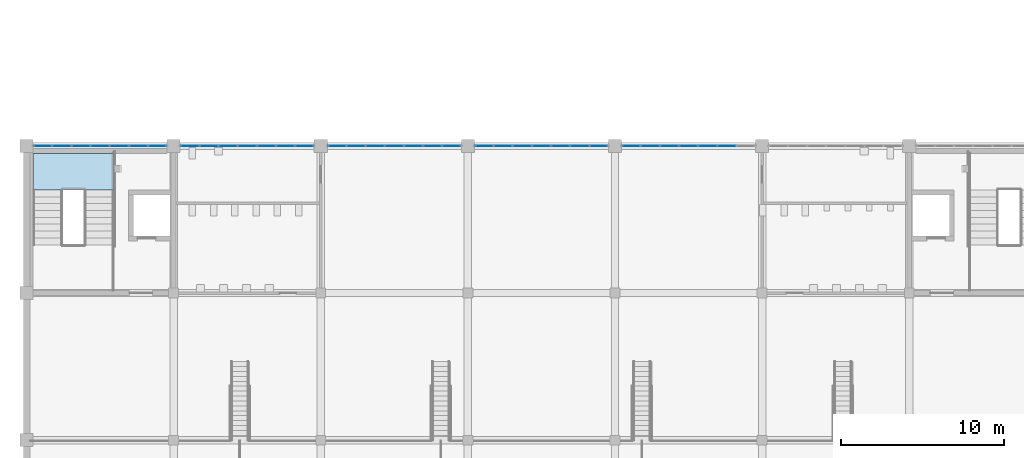
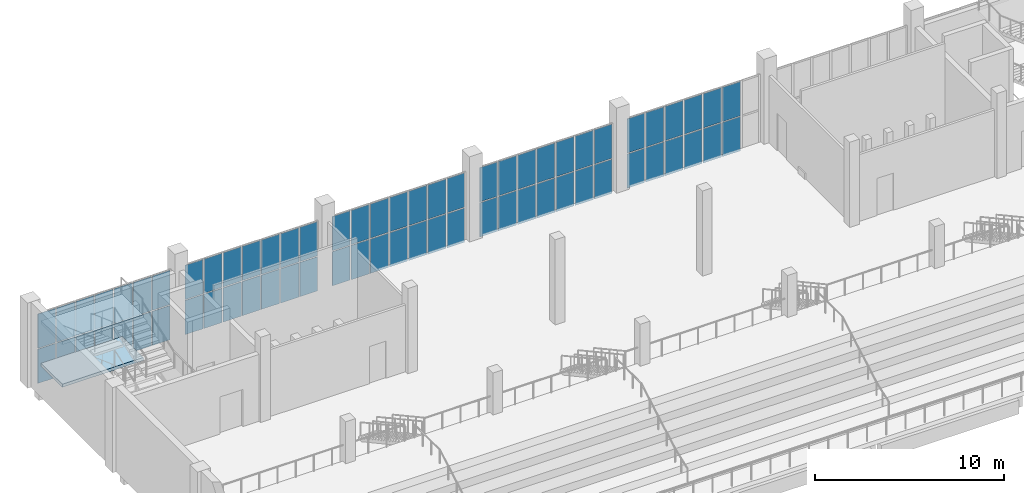
# One storey, part 89 of 185: 68 plates, 2 slabs, 6 elements without a shape of their own.
"""IFC4 building model written with IfcOpenShell, lengths in metres."""

from ifc_helpers import new_model, si_unit, direction, frame, origin, origin_2d, place, context, subcontext, project, spatial, polyline, rectangle, outline, extrude, material, layer, layer_set, type_object, element, aggregate, save


model = new_model("IFC4")

# Units and contexts
model_context = context("Model", 3, precision=1e-05, world=origin(), true_north=direction((0.0, 1.0)))
body_context = subcontext(model_context, "Body", "Model", "MODEL_VIEW")
ifc_project = project(units=[si_unit("LENGTHUNIT", "METRE"), si_unit("AREAUNIT", "SQUARE_METRE"), si_unit("VOLUMEUNIT", "CUBIC_METRE"), si_unit("PLANEANGLEUNIT", "RADIAN"), si_unit("MASSUNIT", "GRAM", prefix="KILO")], contexts=[model_context])

# Site, building, storey
site_placement = place(None, origin())
site = spatial("IfcSite", under=ifc_project, at=site_placement, CompositionType="ELEMENT")
building_placement = place(site_placement, origin())
building = spatial("IfcBuilding", under=site, at=building_placement, Name="Opaline Strait Convention Centre", CompositionType="ELEMENT")
storey_placement = place(building_placement, frame((0.0, 0.0, 6.0)))
storey = spatial("IfcBuildingStorey", under=building, at=storey_placement, Name="L01", CompositionType="ELEMENT", Elevation=6.0)

# Curtain wall, plates
ifc_material_1 = material(Name="Aluminium framed double glazing", Category="aluminium")
ifc_layer_1 = layer(ifc_material_1, 0.199951171875)
ifc_layer_set_1 = layer_set([ifc_layer_1], Name="Aluminium framed double glazing")
curtain_wall_type = type_object("IfcCurtainWallType", Name="Curtain wall 1250", PredefinedType="NOTDEFINED", material=ifc_layer_set_1)
curtain_wall_1_placement = place(storey_placement, origin())
curtain_wall_1 = element("IfcCurtainWall", 1, at=curtain_wall_1_placement, inside=storey, type_object=curtain_wall_type, Name="Curtain wall N-9-L01", PredefinedType="NOTDEFINED")
ifc_material_2 = material(Name="Double glazed unit low emissivity", Category="glass")
ifc_layer_2 = layer(ifc_material_2, 0.028076171875)
ifc_layer_set_2 = layer_set([ifc_layer_2], Name="Double glazed unit low emissivity")
plate_type = type_object("IfcPlateType", Name="Curtain wall glass panel 28", PredefinedType="CURTAIN_PANEL", material=ifc_layer_set_2)
plate_1_placement = place(storey_placement, frame((10.000732421875, 180.0, -0.219970703125), z_axis=(0.0, 0.0, 1.0), x_axis=(1.0, 0.0, 0.0)))
plate_1 = element("IfcPlate", 2, at=plate_1_placement, type_object=plate_type, Name="PCW panel 1.1", PredefinedType="CURTAIN_PANEL", context=body_context, shape_type="SweptSolid", body=[
    extrude(rectangle(XDim=1.08154296875, YDim=0.028076171875, at=origin_2d()), origin(), (0.0, 0.0, 1.0), 2.2099609375),
])
plate_2_placement = place(storey_placement, frame((10.000732421875, 180.0, 2.050048828125), z_axis=(0.0, 0.0, 1.0), x_axis=(1.0, 0.0, 0.0)))
plate_2 = element("IfcPlate", 3, at=plate_2_placement, type_object=plate_type, Name="PCW panel 1.2", PredefinedType="CURTAIN_PANEL", context=body_context, shape_type="SweptSolid", body=[
    extrude(rectangle(XDim=1.08154296875, YDim=0.028076171875, at=origin_2d()), origin(), (0.0, 0.0, 1.0), 2.2099609375),
])
plate_3_placement = place(storey_placement, frame((11.156982421875, 180.0, -0.219970703125), z_axis=(0.0, 0.0, 1.0), x_axis=(1.0, 0.0, 0.0)))
plate_3 = element("IfcPlate", 4, at=plate_3_placement, type_object=plate_type, Name="PCW panel 2.1", PredefinedType="CURTAIN_PANEL", context=body_context, shape_type="SweptSolid", body=[
    extrude(rectangle(XDim=1.111572265625, YDim=0.028076171875, at=origin_2d()), origin(), (0.0, 0.0, 1.0), 2.2099609375),
])
plate_4_placement = place(storey_placement, frame((11.156982421875, 180.0, 2.050048828125), z_axis=(0.0, 0.0, 1.0), x_axis=(1.0, 0.0, 0.0)))
plate_4 = element("IfcPlate", 5, at=plate_4_placement, type_object=plate_type, Name="PCW panel 2.2", PredefinedType="CURTAIN_PANEL", context=body_context, shape_type="SweptSolid", body=[
    extrude(rectangle(XDim=1.111572265625, YDim=0.028076171875, at=origin_2d()), origin(), (0.0, 0.0, 1.0), 2.2099609375),
])
plate_5_placement = place(storey_placement, frame((12.32861328125, 180.0, -0.219970703125), z_axis=(0.0, 0.0, 1.0), x_axis=(1.0, 0.0, 0.0)))
plate_5 = element("IfcPlate", 6, at=plate_5_placement, type_object=plate_type, Name="PCW panel 3.1", PredefinedType="CURTAIN_PANEL", context=body_context, shape_type="SweptSolid", body=[
    extrude(rectangle(XDim=1.111572265625, YDim=0.028076171875, at=origin_2d()), origin(), (0.0, 0.0, 1.0), 2.2099609375),
])
plate_6_placement = place(storey_placement, frame((12.32861328125, 180.0, 2.050048828125), z_axis=(0.0, 0.0, 1.0), x_axis=(1.0, 0.0, 0.0)))
plate_6 = element("IfcPlate", 7, at=plate_6_placement, type_object=plate_type, Name="PCW panel 3.2", PredefinedType="CURTAIN_PANEL", context=body_context, shape_type="SweptSolid", body=[
    extrude(rectangle(XDim=1.111572265625, YDim=0.028076171875, at=origin_2d()), origin(), (0.0, 0.0, 1.0), 2.2099609375),
])
plate_7_placement = place(storey_placement, frame((13.5, 180.0, -0.219970703125), z_axis=(0.0, 0.0, 1.0), x_axis=(1.0, 0.0, 0.0)))
plate_7 = element("IfcPlate", 8, at=plate_7_placement, type_object=plate_type, Name="PCW panel 4.1", PredefinedType="CURTAIN_PANEL", context=body_context, shape_type="SweptSolid", body=[
    extrude(rectangle(XDim=1.111572265625, YDim=0.028076171875, at=origin_2d()), origin(), (0.0, 0.0, 1.0), 2.2099609375),
])
plate_8_placement = place(storey_placement, frame((13.5, 180.0, 2.050048828125), z_axis=(0.0, 0.0, 1.0), x_axis=(1.0, 0.0, 0.0)))
plate_8 = element("IfcPlate", 9, at=plate_8_placement, type_object=plate_type, Name="PCW panel 4.2", PredefinedType="CURTAIN_PANEL", context=body_context, shape_type="SweptSolid", body=[
    extrude(rectangle(XDim=1.111572265625, YDim=0.028076171875, at=origin_2d()), origin(), (0.0, 0.0, 1.0), 2.2099609375),
])
plate_9_placement = place(storey_placement, frame((14.67138671875, 180.0, -0.219970703125), z_axis=(0.0, 0.0, 1.0), x_axis=(1.0, 0.0, 0.0)))
plate_9 = element("IfcPlate", 10, at=plate_9_placement, type_object=plate_type, Name="PCW panel 5.1", PredefinedType="CURTAIN_PANEL", context=body_context, shape_type="SweptSolid", body=[
    extrude(rectangle(XDim=1.111572265625, YDim=0.028076171875, at=origin_2d()), origin(), (0.0, 0.0, 1.0), 2.2099609375),
])
plate_10_placement = place(storey_placement, frame((14.67138671875, 180.0, 2.050048828125), z_axis=(0.0, 0.0, 1.0), x_axis=(1.0, 0.0, 0.0)))
plate_10 = element("IfcPlate", 11, at=plate_10_placement, type_object=plate_type, Name="PCW panel 5.2", PredefinedType="CURTAIN_PANEL", context=body_context, shape_type="SweptSolid", body=[
    extrude(rectangle(XDim=1.111572265625, YDim=0.028076171875, at=origin_2d()), origin(), (0.0, 0.0, 1.0), 2.2099609375),
])
plate_11_placement = place(storey_placement, frame((15.843017578125, 180.0, -0.219970703125), z_axis=(0.0, 0.0, 1.0), x_axis=(1.0, 0.0, 0.0)))
plate_11 = element("IfcPlate", 12, at=plate_11_placement, type_object=plate_type, Name="PCW panel 6.1", PredefinedType="CURTAIN_PANEL", context=body_context, shape_type="SweptSolid", body=[
    extrude(rectangle(XDim=1.111572265625, YDim=0.028076171875, at=origin_2d()), origin(), (0.0, 0.0, 1.0), 2.2099609375),
])
plate_12_placement = place(storey_placement, frame((15.843017578125, 180.0, 2.050048828125), z_axis=(0.0, 0.0, 1.0), x_axis=(1.0, 0.0, 0.0)))
plate_12 = element("IfcPlate", 13, at=plate_12_placement, type_object=plate_type, Name="PCW panel 6.2", PredefinedType="CURTAIN_PANEL", context=body_context, shape_type="SweptSolid", body=[
    extrude(rectangle(XDim=1.111572265625, YDim=0.028076171875, at=origin_2d()), origin(), (0.0, 0.0, 1.0), 2.2099609375),
])
plate_13_placement = place(storey_placement, frame((16.999267578125, 180.0, -0.219970703125), z_axis=(0.0, 0.0, 1.0), x_axis=(1.0, 0.0, 0.0)))
plate_13 = element("IfcPlate", 14, at=plate_13_placement, type_object=plate_type, Name="PCW panel 7.1", PredefinedType="CURTAIN_PANEL", context=body_context, shape_type="SweptSolid", body=[
    extrude(rectangle(XDim=1.08154296875, YDim=0.028076171875, at=origin_2d()), origin(), (0.0, 0.0, 1.0), 2.2099609375),
])
plate_14_placement = place(storey_placement, frame((16.999267578125, 180.0, 2.050048828125), z_axis=(0.0, 0.0, 1.0), x_axis=(1.0, 0.0, 0.0)))
plate_14 = element("IfcPlate", 15, at=plate_14_placement, type_object=plate_type, Name="PCW panel 7.2", PredefinedType="CURTAIN_PANEL", context=body_context, shape_type="SweptSolid", body=[
    extrude(rectangle(XDim=1.08154296875, YDim=0.028076171875, at=origin_2d()), origin(), (0.0, 0.0, 1.0), 2.2099609375),
])
aggregate(curtain_wall_1, [plate_1, plate_2, plate_3, plate_4, plate_5, plate_6, plate_7, plate_8, plate_9, plate_10, plate_11, plate_12, plate_13, plate_14])

curtain_wall_2_placement = place(storey_placement, origin())
curtain_wall_2 = element("IfcCurtainWall", 16, at=curtain_wall_2_placement, inside=storey, type_object=curtain_wall_type, Name="Curtain wall N-18-L01", PredefinedType="NOTDEFINED")
plate_15_placement = place(storey_placement, frame((19.000732421875, 180.0, -0.219970703125), z_axis=(0.0, 0.0, 1.0), x_axis=(1.0, 0.0, 0.0)))
plate_15 = element("IfcPlate", 17, at=plate_15_placement, type_object=plate_type, Name="PCW panel 1.1", PredefinedType="CURTAIN_PANEL", context=body_context, shape_type="SweptSolid", body=[
    extrude(rectangle(XDim=1.08154296875, YDim=0.028076171875, at=origin_2d()), origin(), (0.0, 0.0, 1.0), 2.2099609375),
])
plate_16_placement = place(storey_placement, frame((19.000732421875, 180.0, 2.050048828125), z_axis=(0.0, 0.0, 1.0), x_axis=(1.0, 0.0, 0.0)))
plate_16 = element("IfcPlate", 18, at=plate_16_placement, type_object=plate_type, Name="PCW panel 1.2", PredefinedType="CURTAIN_PANEL", context=body_context, shape_type="SweptSolid", body=[
    extrude(rectangle(XDim=1.08154296875, YDim=0.028076171875, at=origin_2d()), origin(), (0.0, 0.0, 1.0), 2.2099609375),
])
plate_17_placement = place(storey_placement, frame((20.156982421875, 180.0, -0.219970703125), z_axis=(0.0, 0.0, 1.0), x_axis=(1.0, 0.0, 0.0)))
plate_17 = element("IfcPlate", 19, at=plate_17_placement, type_object=plate_type, Name="PCW panel 2.1", PredefinedType="CURTAIN_PANEL", context=body_context, shape_type="SweptSolid", body=[
    extrude(rectangle(XDim=1.111572265625, YDim=0.028076171875, at=origin_2d()), origin(), (0.0, 0.0, 1.0), 2.2099609375),
])
plate_18_placement = place(storey_placement, frame((20.156982421875, 180.0, 2.050048828125), z_axis=(0.0, 0.0, 1.0), x_axis=(1.0, 0.0, 0.0)))
plate_18 = element("IfcPlate", 20, at=plate_18_placement, type_object=plate_type, Name="PCW panel 2.2", PredefinedType="CURTAIN_PANEL", context=body_context, shape_type="SweptSolid", body=[
    extrude(rectangle(XDim=1.111572265625, YDim=0.028076171875, at=origin_2d()), origin(), (0.0, 0.0, 1.0), 2.2099609375),
])
plate_19_placement = place(storey_placement, frame((21.32861328125, 180.0, -0.219970703125), z_axis=(0.0, 0.0, 1.0), x_axis=(1.0, 0.0, 0.0)))
plate_19 = element("IfcPlate", 21, at=plate_19_placement, type_object=plate_type, Name="PCW panel 3.1", PredefinedType="CURTAIN_PANEL", context=body_context, shape_type="SweptSolid", body=[
    extrude(rectangle(XDim=1.111572265625, YDim=0.028076171875, at=origin_2d()), origin(), (0.0, 0.0, 1.0), 2.2099609375),
])
plate_20_placement = place(storey_placement, frame((21.32861328125, 180.0, 2.050048828125), z_axis=(0.0, 0.0, 1.0), x_axis=(1.0, 0.0, 0.0)))
plate_20 = element("IfcPlate", 22, at=plate_20_placement, type_object=plate_type, Name="PCW panel 3.2", PredefinedType="CURTAIN_PANEL", context=body_context, shape_type="SweptSolid", body=[
    extrude(rectangle(XDim=1.111572265625, YDim=0.028076171875, at=origin_2d()), origin(), (0.0, 0.0, 1.0), 2.2099609375),
])
plate_21_placement = place(storey_placement, frame((22.5, 180.0, -0.219970703125), z_axis=(0.0, 0.0, 1.0), x_axis=(1.0, 0.0, 0.0)))
plate_21 = element("IfcPlate", 23, at=plate_21_placement, type_object=plate_type, Name="PCW panel 4.1", PredefinedType="CURTAIN_PANEL", context=body_context, shape_type="SweptSolid", body=[
    extrude(rectangle(XDim=1.111572265625, YDim=0.028076171875, at=origin_2d()), origin(), (0.0, 0.0, 1.0), 2.2099609375),
])
plate_22_placement = place(storey_placement, frame((22.5, 180.0, 2.050048828125), z_axis=(0.0, 0.0, 1.0), x_axis=(1.0, 0.0, 0.0)))
plate_22 = element("IfcPlate", 24, at=plate_22_placement, type_object=plate_type, Name="PCW panel 4.2", PredefinedType="CURTAIN_PANEL", context=body_context, shape_type="SweptSolid", body=[
    extrude(rectangle(XDim=1.111572265625, YDim=0.028076171875, at=origin_2d()), origin(), (0.0, 0.0, 1.0), 2.2099609375),
])
plate_23_placement = place(storey_placement, frame((23.67138671875, 180.0, -0.219970703125), z_axis=(0.0, 0.0, 1.0), x_axis=(1.0, 0.0, 0.0)))
plate_23 = element("IfcPlate", 25, at=plate_23_placement, type_object=plate_type, Name="PCW panel 5.1", PredefinedType="CURTAIN_PANEL", context=body_context, shape_type="SweptSolid", body=[
    extrude(rectangle(XDim=1.111572265625, YDim=0.028076171875, at=origin_2d()), origin(), (0.0, 0.0, 1.0), 2.2099609375),
])
plate_24_placement = place(storey_placement, frame((23.67138671875, 180.0, 2.050048828125), z_axis=(0.0, 0.0, 1.0), x_axis=(1.0, 0.0, 0.0)))
plate_24 = element("IfcPlate", 26, at=plate_24_placement, type_object=plate_type, Name="PCW panel 5.2", PredefinedType="CURTAIN_PANEL", context=body_context, shape_type="SweptSolid", body=[
    extrude(rectangle(XDim=1.111572265625, YDim=0.028076171875, at=origin_2d()), origin(), (0.0, 0.0, 1.0), 2.2099609375),
])
plate_25_placement = place(storey_placement, frame((24.843017578125, 180.0, -0.219970703125), z_axis=(0.0, 0.0, 1.0), x_axis=(1.0, 0.0, 0.0)))
plate_25 = element("IfcPlate", 27, at=plate_25_placement, type_object=plate_type, Name="PCW panel 6.1", PredefinedType="CURTAIN_PANEL", context=body_context, shape_type="SweptSolid", body=[
    extrude(rectangle(XDim=1.111572265625, YDim=0.028076171875, at=origin_2d()), origin(), (0.0, 0.0, 1.0), 2.2099609375),
])
plate_26_placement = place(storey_placement, frame((24.843017578125, 180.0, 2.050048828125), z_axis=(0.0, 0.0, 1.0), x_axis=(1.0, 0.0, 0.0)))
plate_26 = element("IfcPlate", 28, at=plate_26_placement, type_object=plate_type, Name="PCW panel 6.2", PredefinedType="CURTAIN_PANEL", context=body_context, shape_type="SweptSolid", body=[
    extrude(rectangle(XDim=1.111572265625, YDim=0.028076171875, at=origin_2d()), origin(), (0.0, 0.0, 1.0), 2.2099609375),
])
plate_27_placement = place(storey_placement, frame((25.999267578125, 180.0, -0.219970703125), z_axis=(0.0, 0.0, 1.0), x_axis=(1.0, 0.0, 0.0)))
plate_27 = element("IfcPlate", 29, at=plate_27_placement, type_object=plate_type, Name="PCW panel 7.1", PredefinedType="CURTAIN_PANEL", context=body_context, shape_type="SweptSolid", body=[
    extrude(rectangle(XDim=1.08154296875, YDim=0.028076171875, at=origin_2d()), origin(), (0.0, 0.0, 1.0), 2.2099609375),
])
plate_28_placement = place(storey_placement, frame((25.999267578125, 180.0, 2.050048828125), z_axis=(0.0, 0.0, 1.0), x_axis=(1.0, 0.0, 0.0)))
plate_28 = element("IfcPlate", 30, at=plate_28_placement, type_object=plate_type, Name="PCW panel 7.2", PredefinedType="CURTAIN_PANEL", context=body_context, shape_type="SweptSolid", body=[
    extrude(rectangle(XDim=1.08154296875, YDim=0.028076171875, at=origin_2d()), origin(), (0.0, 0.0, 1.0), 2.2099609375),
])
aggregate(curtain_wall_2, [plate_15, plate_16, plate_17, plate_18, plate_19, plate_20, plate_21, plate_22, plate_23, plate_24, plate_25, plate_26, plate_27, plate_28])

curtain_wall_3_placement = place(storey_placement, origin())
curtain_wall_3 = element("IfcCurtainWall", 31, at=curtain_wall_3_placement, inside=storey, type_object=curtain_wall_type, Name="Curtain wall N-27-L01", PredefinedType="NOTDEFINED")
plate_29_placement = place(storey_placement, frame((28.000732421875, 180.0, -0.219970703125), z_axis=(0.0, 0.0, 1.0), x_axis=(1.0, 0.0, 0.0)))
plate_29 = element("IfcPlate", 32, at=plate_29_placement, type_object=plate_type, Name="PCW panel 1.1", PredefinedType="CURTAIN_PANEL", context=body_context, shape_type="SweptSolid", body=[
    extrude(rectangle(XDim=1.08154296875, YDim=0.028076171875, at=origin_2d()), origin(), (0.0, 0.0, 1.0), 2.2099609375),
])
plate_30_placement = place(storey_placement, frame((28.000732421875, 180.0, 2.050048828125), z_axis=(0.0, 0.0, 1.0), x_axis=(1.0, 0.0, 0.0)))
plate_30 = element("IfcPlate", 33, at=plate_30_placement, type_object=plate_type, Name="PCW panel 1.2", PredefinedType="CURTAIN_PANEL", context=body_context, shape_type="SweptSolid", body=[
    extrude(rectangle(XDim=1.08154296875, YDim=0.028076171875, at=origin_2d()), origin(), (0.0, 0.0, 1.0), 2.2099609375),
])
plate_31_placement = place(storey_placement, frame((29.156982421875, 180.0, -0.219970703125), z_axis=(0.0, 0.0, 1.0), x_axis=(1.0, 0.0, 0.0)))
plate_31 = element("IfcPlate", 34, at=plate_31_placement, type_object=plate_type, Name="PCW panel 2.1", PredefinedType="CURTAIN_PANEL", context=body_context, shape_type="SweptSolid", body=[
    extrude(rectangle(XDim=1.111572265625, YDim=0.028076171875, at=origin_2d()), origin(), (0.0, 0.0, 1.0), 2.2099609375),
])
plate_32_placement = place(storey_placement, frame((29.156982421875, 180.0, 2.050048828125), z_axis=(0.0, 0.0, 1.0), x_axis=(1.0, 0.0, 0.0)))
plate_32 = element("IfcPlate", 35, at=plate_32_placement, type_object=plate_type, Name="PCW panel 2.2", PredefinedType="CURTAIN_PANEL", context=body_context, shape_type="SweptSolid", body=[
    extrude(rectangle(XDim=1.111572265625, YDim=0.028076171875, at=origin_2d()), origin(), (0.0, 0.0, 1.0), 2.2099609375),
])
plate_33_placement = place(storey_placement, frame((30.32861328125, 180.0, -0.219970703125), z_axis=(0.0, 0.0, 1.0), x_axis=(1.0, 0.0, 0.0)))
plate_33 = element("IfcPlate", 36, at=plate_33_placement, type_object=plate_type, Name="PCW panel 3.1", PredefinedType="CURTAIN_PANEL", context=body_context, shape_type="SweptSolid", body=[
    extrude(rectangle(XDim=1.111572265625, YDim=0.028076171875, at=origin_2d()), origin(), (0.0, 0.0, 1.0), 2.2099609375),
])
plate_34_placement = place(storey_placement, frame((30.32861328125, 180.0, 2.050048828125), z_axis=(0.0, 0.0, 1.0), x_axis=(1.0, 0.0, 0.0)))
plate_34 = element("IfcPlate", 37, at=plate_34_placement, type_object=plate_type, Name="PCW panel 3.2", PredefinedType="CURTAIN_PANEL", context=body_context, shape_type="SweptSolid", body=[
    extrude(rectangle(XDim=1.111572265625, YDim=0.028076171875, at=origin_2d()), origin(), (0.0, 0.0, 1.0), 2.2099609375),
])
plate_35_placement = place(storey_placement, frame((31.5, 180.0, -0.219970703125), z_axis=(0.0, 0.0, 1.0), x_axis=(1.0, 0.0, 0.0)))
plate_35 = element("IfcPlate", 38, at=plate_35_placement, type_object=plate_type, Name="PCW panel 4.1", PredefinedType="CURTAIN_PANEL", context=body_context, shape_type="SweptSolid", body=[
    extrude(rectangle(XDim=1.111572265625, YDim=0.028076171875, at=origin_2d()), origin(), (0.0, 0.0, 1.0), 2.2099609375),
])
plate_36_placement = place(storey_placement, frame((31.5, 180.0, 2.050048828125), z_axis=(0.0, 0.0, 1.0), x_axis=(1.0, 0.0, 0.0)))
plate_36 = element("IfcPlate", 39, at=plate_36_placement, type_object=plate_type, Name="PCW panel 4.2", PredefinedType="CURTAIN_PANEL", context=body_context, shape_type="SweptSolid", body=[
    extrude(rectangle(XDim=1.111572265625, YDim=0.028076171875, at=origin_2d()), origin(), (0.0, 0.0, 1.0), 2.2099609375),
])
plate_37_placement = place(storey_placement, frame((32.67138671875, 180.0, -0.219970703125), z_axis=(0.0, 0.0, 1.0), x_axis=(1.0, 0.0, 0.0)))
plate_37 = element("IfcPlate", 40, at=plate_37_placement, type_object=plate_type, Name="PCW panel 5.1", PredefinedType="CURTAIN_PANEL", context=body_context, shape_type="SweptSolid", body=[
    extrude(rectangle(XDim=1.111572265625, YDim=0.028076171875, at=origin_2d()), origin(), (0.0, 0.0, 1.0), 2.2099609375),
])
plate_38_placement = place(storey_placement, frame((32.67138671875, 180.0, 2.050048828125), z_axis=(0.0, 0.0, 1.0), x_axis=(1.0, 0.0, 0.0)))
plate_38 = element("IfcPlate", 41, at=plate_38_placement, type_object=plate_type, Name="PCW panel 5.2", PredefinedType="CURTAIN_PANEL", context=body_context, shape_type="SweptSolid", body=[
    extrude(rectangle(XDim=1.111572265625, YDim=0.028076171875, at=origin_2d()), origin(), (0.0, 0.0, 1.0), 2.2099609375),
])
plate_39_placement = place(storey_placement, frame((33.843017578125, 180.0, -0.219970703125), z_axis=(0.0, 0.0, 1.0), x_axis=(1.0, 0.0, 0.0)))
plate_39 = element("IfcPlate", 42, at=plate_39_placement, type_object=plate_type, Name="PCW panel 6.1", PredefinedType="CURTAIN_PANEL", context=body_context, shape_type="SweptSolid", body=[
    extrude(rectangle(XDim=1.111572265625, YDim=0.028076171875, at=origin_2d()), origin(), (0.0, 0.0, 1.0), 2.2099609375),
])
plate_40_placement = place(storey_placement, frame((33.843017578125, 180.0, 2.050048828125), z_axis=(0.0, 0.0, 1.0), x_axis=(1.0, 0.0, 0.0)))
plate_40 = element("IfcPlate", 43, at=plate_40_placement, type_object=plate_type, Name="PCW panel 6.2", PredefinedType="CURTAIN_PANEL", context=body_context, shape_type="SweptSolid", body=[
    extrude(rectangle(XDim=1.111572265625, YDim=0.028076171875, at=origin_2d()), origin(), (0.0, 0.0, 1.0), 2.2099609375),
])
plate_41_placement = place(storey_placement, frame((34.999267578125, 180.0, -0.219970703125), z_axis=(0.0, 0.0, 1.0), x_axis=(1.0, 0.0, 0.0)))
plate_41 = element("IfcPlate", 44, at=plate_41_placement, type_object=plate_type, Name="PCW panel 7.1", PredefinedType="CURTAIN_PANEL", context=body_context, shape_type="SweptSolid", body=[
    extrude(rectangle(XDim=1.08154296875, YDim=0.028076171875, at=origin_2d()), origin(), (0.0, 0.0, 1.0), 2.2099609375),
])
plate_42_placement = place(storey_placement, frame((34.999267578125, 180.0, 2.050048828125), z_axis=(0.0, 0.0, 1.0), x_axis=(1.0, 0.0, 0.0)))
plate_42 = element("IfcPlate", 45, at=plate_42_placement, type_object=plate_type, Name="PCW panel 7.2", PredefinedType="CURTAIN_PANEL", context=body_context, shape_type="SweptSolid", body=[
    extrude(rectangle(XDim=1.08154296875, YDim=0.028076171875, at=origin_2d()), origin(), (0.0, 0.0, 1.0), 2.2099609375),
])
aggregate(curtain_wall_3, [plate_29, plate_30, plate_31, plate_32, plate_33, plate_34, plate_35, plate_36, plate_37, plate_38, plate_39, plate_40, plate_41, plate_42])

curtain_wall_4_placement = place(storey_placement, origin())
curtain_wall_4 = element("IfcCurtainWall", 46, at=curtain_wall_4_placement, inside=storey, type_object=curtain_wall_type, Name="Curtain wall N-36-L01", PredefinedType="NOTDEFINED")
plate_43_placement = place(storey_placement, frame((37.000732421875, 180.0, -0.219970703125), z_axis=(0.0, 0.0, 1.0), x_axis=(1.0, 0.0, 0.0)))
plate_43 = element("IfcPlate", 47, at=plate_43_placement, type_object=plate_type, Name="PCW panel 1.1", PredefinedType="CURTAIN_PANEL", context=body_context, shape_type="SweptSolid", body=[
    extrude(rectangle(XDim=1.08154296875, YDim=0.028076171875, at=origin_2d()), origin(), (0.0, 0.0, 1.0), 2.2099609375),
])
plate_44_placement = place(storey_placement, frame((37.000732421875, 180.0, 2.050048828125), z_axis=(0.0, 0.0, 1.0), x_axis=(1.0, 0.0, 0.0)))
plate_44 = element("IfcPlate", 48, at=plate_44_placement, type_object=plate_type, Name="PCW panel 1.2", PredefinedType="CURTAIN_PANEL", context=body_context, shape_type="SweptSolid", body=[
    extrude(rectangle(XDim=1.08154296875, YDim=0.028076171875, at=origin_2d()), origin(), (0.0, 0.0, 1.0), 2.2099609375),
])
plate_45_placement = place(storey_placement, frame((38.156982421875, 180.0, -0.219970703125), z_axis=(0.0, 0.0, 1.0), x_axis=(1.0, 0.0, 0.0)))
plate_45 = element("IfcPlate", 49, at=plate_45_placement, type_object=plate_type, Name="PCW panel 2.1", PredefinedType="CURTAIN_PANEL", context=body_context, shape_type="SweptSolid", body=[
    extrude(rectangle(XDim=1.111572265625, YDim=0.028076171875, at=origin_2d()), origin(), (0.0, 0.0, 1.0), 2.2099609375),
])
plate_46_placement = place(storey_placement, frame((38.156982421875, 180.0, 2.050048828125), z_axis=(0.0, 0.0, 1.0), x_axis=(1.0, 0.0, 0.0)))
plate_46 = element("IfcPlate", 50, at=plate_46_placement, type_object=plate_type, Name="PCW panel 2.2", PredefinedType="CURTAIN_PANEL", context=body_context, shape_type="SweptSolid", body=[
    extrude(rectangle(XDim=1.111572265625, YDim=0.028076171875, at=origin_2d()), origin(), (0.0, 0.0, 1.0), 2.2099609375),
])
plate_47_placement = place(storey_placement, frame((39.32861328125, 180.0, -0.219970703125), z_axis=(0.0, 0.0, 1.0), x_axis=(1.0, 0.0, 0.0)))
plate_47 = element("IfcPlate", 51, at=plate_47_placement, type_object=plate_type, Name="PCW panel 3.1", PredefinedType="CURTAIN_PANEL", context=body_context, shape_type="SweptSolid", body=[
    extrude(rectangle(XDim=1.111572265625, YDim=0.028076171875, at=origin_2d()), origin(), (0.0, 0.0, 1.0), 2.2099609375),
])
plate_48_placement = place(storey_placement, frame((39.32861328125, 180.0, 2.050048828125), z_axis=(0.0, 0.0, 1.0), x_axis=(1.0, 0.0, 0.0)))
plate_48 = element("IfcPlate", 52, at=plate_48_placement, type_object=plate_type, Name="PCW panel 3.2", PredefinedType="CURTAIN_PANEL", context=body_context, shape_type="SweptSolid", body=[
    extrude(rectangle(XDim=1.111572265625, YDim=0.028076171875, at=origin_2d()), origin(), (0.0, 0.0, 1.0), 2.2099609375),
])
plate_49_placement = place(storey_placement, frame((40.5, 180.0, -0.219970703125), z_axis=(0.0, 0.0, 1.0), x_axis=(1.0, 0.0, 0.0)))
plate_49 = element("IfcPlate", 53, at=plate_49_placement, type_object=plate_type, Name="PCW panel 4.1", PredefinedType="CURTAIN_PANEL", context=body_context, shape_type="SweptSolid", body=[
    extrude(rectangle(XDim=1.111572265625, YDim=0.028076171875, at=origin_2d()), origin(), (0.0, 0.0, 1.0), 2.2099609375),
])
plate_50_placement = place(storey_placement, frame((40.5, 180.0, 2.050048828125), z_axis=(0.0, 0.0, 1.0), x_axis=(1.0, 0.0, 0.0)))
plate_50 = element("IfcPlate", 54, at=plate_50_placement, type_object=plate_type, Name="PCW panel 4.2", PredefinedType="CURTAIN_PANEL", context=body_context, shape_type="SweptSolid", body=[
    extrude(rectangle(XDim=1.111572265625, YDim=0.028076171875, at=origin_2d()), origin(), (0.0, 0.0, 1.0), 2.2099609375),
])
plate_51_placement = place(storey_placement, frame((41.67138671875, 180.0, -0.219970703125), z_axis=(0.0, 0.0, 1.0), x_axis=(1.0, 0.0, 0.0)))
plate_51 = element("IfcPlate", 55, at=plate_51_placement, type_object=plate_type, Name="PCW panel 5.1", PredefinedType="CURTAIN_PANEL", context=body_context, shape_type="SweptSolid", body=[
    extrude(rectangle(XDim=1.111572265625, YDim=0.028076171875, at=origin_2d()), origin(), (0.0, 0.0, 1.0), 2.2099609375),
])
plate_52_placement = place(storey_placement, frame((41.67138671875, 180.0, 2.050048828125), z_axis=(0.0, 0.0, 1.0), x_axis=(1.0, 0.0, 0.0)))
plate_52 = element("IfcPlate", 56, at=plate_52_placement, type_object=plate_type, Name="PCW panel 5.2", PredefinedType="CURTAIN_PANEL", context=body_context, shape_type="SweptSolid", body=[
    extrude(rectangle(XDim=1.111572265625, YDim=0.028076171875, at=origin_2d()), origin(), (0.0, 0.0, 1.0), 2.2099609375),
])
plate_53_placement = place(storey_placement, frame((42.843017578125, 180.0, -0.219970703125), z_axis=(0.0, 0.0, 1.0), x_axis=(1.0, 0.0, 0.0)))
plate_53 = element("IfcPlate", 57, at=plate_53_placement, type_object=plate_type, Name="PCW panel 6.1", PredefinedType="CURTAIN_PANEL", context=body_context, shape_type="SweptSolid", body=[
    extrude(rectangle(XDim=1.111572265625, YDim=0.028076171875, at=origin_2d()), origin(), (0.0, 0.0, 1.0), 2.2099609375),
])
plate_54_placement = place(storey_placement, frame((42.843017578125, 180.0, 2.050048828125), z_axis=(0.0, 0.0, 1.0), x_axis=(1.0, 0.0, 0.0)))
plate_54 = element("IfcPlate", 58, at=plate_54_placement, type_object=plate_type, Name="PCW panel 6.2", PredefinedType="CURTAIN_PANEL", context=body_context, shape_type="SweptSolid", body=[
    extrude(rectangle(XDim=1.111572265625, YDim=0.028076171875, at=origin_2d()), origin(), (0.0, 0.0, 1.0), 2.2099609375),
])
plate_55_placement = place(storey_placement, frame((43.999267578125, 180.0, -0.219970703125), z_axis=(0.0, 0.0, 1.0), x_axis=(1.0, 0.0, 0.0)))
plate_55 = element("IfcPlate", 59, at=plate_55_placement, type_object=plate_type, Name="PCW panel 7.1", PredefinedType="CURTAIN_PANEL", context=body_context, shape_type="SweptSolid", body=[
    extrude(rectangle(XDim=1.08154296875, YDim=0.028076171875, at=origin_2d()), origin(), (0.0, 0.0, 1.0), 2.2099609375),
])
plate_56_placement = place(storey_placement, frame((43.999267578125, 180.0, 2.050048828125), z_axis=(0.0, 0.0, 1.0), x_axis=(1.0, 0.0, 0.0)))
plate_56 = element("IfcPlate", 60, at=plate_56_placement, type_object=plate_type, Name="PCW panel 7.2", PredefinedType="CURTAIN_PANEL", context=body_context, shape_type="SweptSolid", body=[
    extrude(rectangle(XDim=1.08154296875, YDim=0.028076171875, at=origin_2d()), origin(), (0.0, 0.0, 1.0), 2.2099609375),
])
aggregate(curtain_wall_4, [plate_43, plate_44, plate_45, plate_46, plate_47, plate_48, plate_49, plate_50, plate_51, plate_52, plate_53, plate_54, plate_55, plate_56])

curtain_wall_5_placement = place(storey_placement, origin())
curtain_wall_5 = element("IfcCurtainWall", 61, at=curtain_wall_5_placement, inside=storey, type_object=curtain_wall_type, Name="Curtain wall N-45-L01", PredefinedType="NOTDEFINED")
plate_57_placement = place(storey_placement, frame((46.000732421875, 180.0, -0.219970703125), z_axis=(0.0, 0.0, 1.0), x_axis=(1.0, 0.0, 0.0)))
plate_57 = element("IfcPlate", 62, at=plate_57_placement, type_object=plate_type, Name="PCW panel 1.1", PredefinedType="CURTAIN_PANEL", context=body_context, shape_type="SweptSolid", body=[
    extrude(rectangle(XDim=1.08154296875, YDim=0.028076171875, at=origin_2d()), origin(), (0.0, 0.0, 1.0), 2.2099609375),
])
plate_58_placement = place(storey_placement, frame((46.000732421875, 180.0, 2.050048828125), z_axis=(0.0, 0.0, 1.0), x_axis=(1.0, 0.0, 0.0)))
plate_58 = element("IfcPlate", 63, at=plate_58_placement, type_object=plate_type, Name="PCW panel 1.2", PredefinedType="CURTAIN_PANEL", context=body_context, shape_type="SweptSolid", body=[
    extrude(rectangle(XDim=1.08154296875, YDim=0.028076171875, at=origin_2d()), origin(), (0.0, 0.0, 1.0), 2.2099609375),
])
plate_59_placement = place(storey_placement, frame((47.156982421875, 180.0, -0.219970703125), z_axis=(0.0, 0.0, 1.0), x_axis=(1.0, 0.0, 0.0)))
plate_59 = element("IfcPlate", 64, at=plate_59_placement, type_object=plate_type, Name="PCW panel 2.1", PredefinedType="CURTAIN_PANEL", context=body_context, shape_type="SweptSolid", body=[
    extrude(rectangle(XDim=1.111572265625, YDim=0.028076171875, at=origin_2d()), origin(), (0.0, 0.0, 1.0), 2.2099609375),
])
plate_60_placement = place(storey_placement, frame((47.156982421875, 180.0, 2.050048828125), z_axis=(0.0, 0.0, 1.0), x_axis=(1.0, 0.0, 0.0)))
plate_60 = element("IfcPlate", 65, at=plate_60_placement, type_object=plate_type, Name="PCW panel 2.2", PredefinedType="CURTAIN_PANEL", context=body_context, shape_type="SweptSolid", body=[
    extrude(rectangle(XDim=1.111572265625, YDim=0.028076171875, at=origin_2d()), origin(), (0.0, 0.0, 1.0), 2.2099609375),
])
plate_61_placement = place(storey_placement, frame((48.32861328125, 180.0, -0.219970703125), z_axis=(0.0, 0.0, 1.0), x_axis=(1.0, 0.0, 0.0)))
plate_61 = element("IfcPlate", 66, at=plate_61_placement, type_object=plate_type, Name="PCW panel 3.1", PredefinedType="CURTAIN_PANEL", context=body_context, shape_type="SweptSolid", body=[
    extrude(rectangle(XDim=1.111572265625, YDim=0.028076171875, at=origin_2d()), origin(), (0.0, 0.0, 1.0), 2.2099609375),
])
plate_62_placement = place(storey_placement, frame((48.32861328125, 180.0, 2.050048828125), z_axis=(0.0, 0.0, 1.0), x_axis=(1.0, 0.0, 0.0)))
plate_62 = element("IfcPlate", 67, at=plate_62_placement, type_object=plate_type, Name="PCW panel 3.2", PredefinedType="CURTAIN_PANEL", context=body_context, shape_type="SweptSolid", body=[
    extrude(rectangle(XDim=1.111572265625, YDim=0.028076171875, at=origin_2d()), origin(), (0.0, 0.0, 1.0), 2.2099609375),
])
plate_63_placement = place(storey_placement, frame((49.5, 180.0, -0.219970703125), z_axis=(0.0, 0.0, 1.0), x_axis=(1.0, 0.0, 0.0)))
plate_63 = element("IfcPlate", 68, at=plate_63_placement, type_object=plate_type, Name="PCW panel 4.1", PredefinedType="CURTAIN_PANEL", context=body_context, shape_type="SweptSolid", body=[
    extrude(rectangle(XDim=1.111572265625, YDim=0.028076171875, at=origin_2d()), origin(), (0.0, 0.0, 1.0), 2.2099609375),
])
plate_64_placement = place(storey_placement, frame((49.5, 180.0, 2.050048828125), z_axis=(0.0, 0.0, 1.0), x_axis=(1.0, 0.0, 0.0)))
plate_64 = element("IfcPlate", 69, at=plate_64_placement, type_object=plate_type, Name="PCW panel 4.2", PredefinedType="CURTAIN_PANEL", context=body_context, shape_type="SweptSolid", body=[
    extrude(rectangle(XDim=1.111572265625, YDim=0.028076171875, at=origin_2d()), origin(), (0.0, 0.0, 1.0), 2.2099609375),
])
plate_65_placement = place(storey_placement, frame((50.67138671875, 180.0, -0.219970703125), z_axis=(0.0, 0.0, 1.0), x_axis=(1.0, 0.0, 0.0)))
plate_65 = element("IfcPlate", 70, at=plate_65_placement, type_object=plate_type, Name="PCW panel 5.1", PredefinedType="CURTAIN_PANEL", context=body_context, shape_type="SweptSolid", body=[
    extrude(rectangle(XDim=1.111572265625, YDim=0.028076171875, at=origin_2d()), origin(), (0.0, 0.0, 1.0), 2.2099609375),
])
plate_66_placement = place(storey_placement, frame((50.67138671875, 180.0, 2.050048828125), z_axis=(0.0, 0.0, 1.0), x_axis=(1.0, 0.0, 0.0)))
plate_66 = element("IfcPlate", 71, at=plate_66_placement, type_object=plate_type, Name="PCW panel 5.2", PredefinedType="CURTAIN_PANEL", context=body_context, shape_type="SweptSolid", body=[
    extrude(rectangle(XDim=1.111572265625, YDim=0.028076171875, at=origin_2d()), origin(), (0.0, 0.0, 1.0), 2.2099609375),
])
plate_67_placement = place(storey_placement, frame((51.843017578125, 180.0, -0.219970703125), z_axis=(0.0, 0.0, 1.0), x_axis=(1.0, 0.0, 0.0)))
plate_67 = element("IfcPlate", 72, at=plate_67_placement, type_object=plate_type, Name="PCW panel 6.1", PredefinedType="CURTAIN_PANEL", context=body_context, shape_type="SweptSolid", body=[
    extrude(rectangle(XDim=1.111572265625, YDim=0.028076171875, at=origin_2d()), origin(), (0.0, 0.0, 1.0), 2.2099609375),
])
plate_68_placement = place(storey_placement, frame((51.843017578125, 180.0, 2.050048828125), z_axis=(0.0, 0.0, 1.0), x_axis=(1.0, 0.0, 0.0)))
plate_68 = element("IfcPlate", 73, at=plate_68_placement, type_object=plate_type, Name="PCW panel 6.2", PredefinedType="CURTAIN_PANEL", context=body_context, shape_type="SweptSolid", body=[
    extrude(rectangle(XDim=1.111572265625, YDim=0.028076171875, at=origin_2d()), origin(), (0.0, 0.0, 1.0), 2.2099609375),
])
aggregate(curtain_wall_5, [plate_57, plate_58, plate_59, plate_60, plate_61, plate_62, plate_63, plate_64, plate_65, plate_66, plate_67, plate_68])

# Stair, slabs
ifc_material_3 = material(Name="Concrete C40", Category="concrete")
stair_type = type_object("IfcStairType", Name="Core stair half turn 2400", PredefinedType="HALF_TURN_STAIR", material=ifc_material_3)
stair_placement = place(storey_placement, origin())
stair = element("IfcStair", 74, at=stair_placement, inside=storey, type_object=stair_type, Name="L01 NW core stair", ObjectType="PST2", PredefinedType="HALF_TURN_STAIR")
ifc_layer_3 = layer(ifc_material_3, 0.199951171875)
ifc_layer_set_3 = layer_set([ifc_layer_3], Name="Concrete C40")
slab_type = type_object("IfcSlabType", Name="Stair landing 200 precast", PredefinedType="LANDING", material=ifc_layer_set_3)
slab_1_placement = place(storey_placement, frame((0.0, 0.0, 1.175048828125)))
slab_1 = element("IfcSlab", 75, at=slab_1_placement, type_object=slab_type, Name="PSR3 landing 1", ObjectType="PSL1", PredefinedType="LANDING", context=body_context, shape_type="SweptSolid", body=[
    extrude(outline(polyline([(14.35009765625, 177.31005859375), (14.35009765625, 179.550048828125), (9.39990234375, 179.550048828125), (9.39990234375, 177.31005859375), (14.35009765625, 177.31005859375)])), origin(), (0.0, 0.0, 1.0), 0.199951171875),
])
slab_2_placement = place(storey_placement, frame((0.0, 0.0, 3.925048828125)))
slab_2 = element("IfcSlab", 76, at=slab_2_placement, type_object=slab_type, Name="PSR3 landing 3", ObjectType="PSL1", PredefinedType="LANDING", context=body_context, shape_type="SweptSolid", body=[
    extrude(outline(polyline([(14.35009765625, 177.31005859375), (14.35009765625, 179.550048828125), (9.39990234375, 179.550048828125), (9.39990234375, 177.31005859375), (14.35009765625, 177.31005859375)])), origin(), (0.0, 0.0, 1.0), 0.199951171875),
])
aggregate(stair, [slab_1, slab_2])

save(model, "model.ifc")
